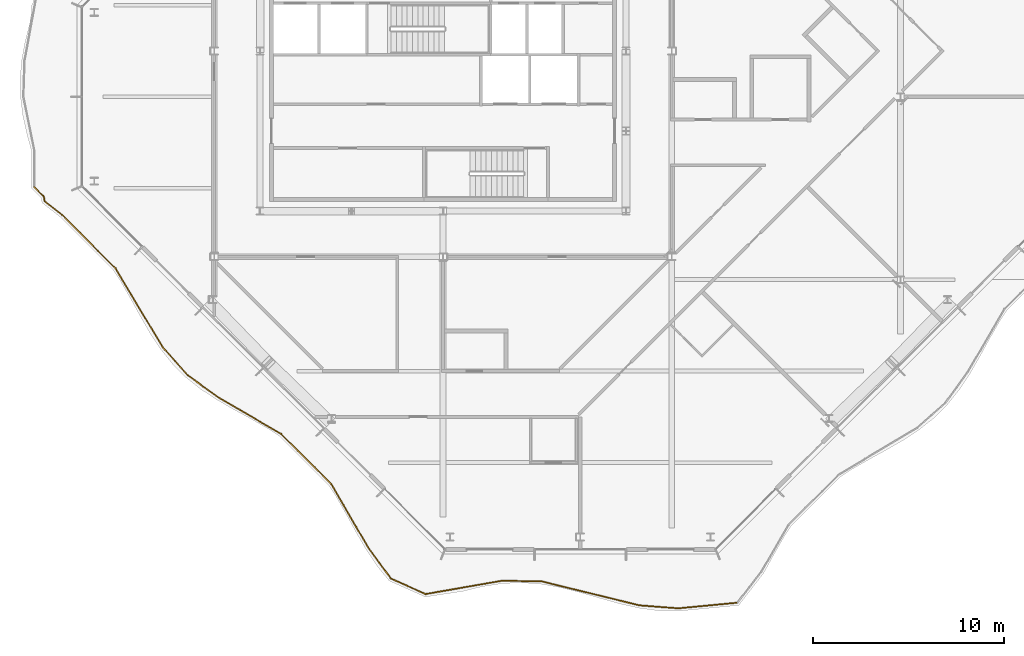
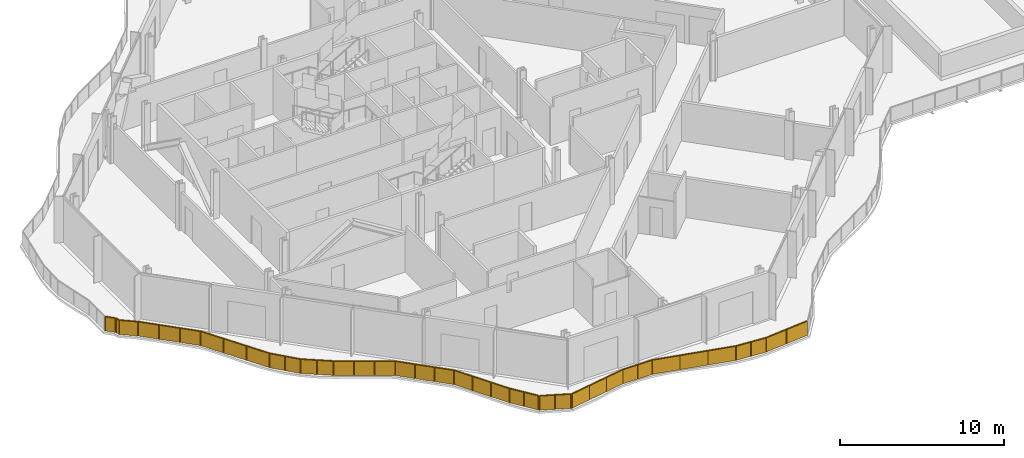
# One storey, part 12 of 16: 5 railings.
"""IFC4 building model written with IfcOpenShell, lengths in metres."""

from ifc_helpers import new_model, si_unit, direction, frame, origin, origin_2d, place, context, subcontext, project, spatial, polyline, rectangle, outline, extrude, material, type_object, element, save


model = new_model("IFC4")

# Units and contexts
model_context = context("Model", 3, precision=1e-05, world=origin(), true_north=direction((0.0, 1.0)))
body_context = subcontext(model_context, "Body", "Model", "MODEL_VIEW")
ifc_project = project(units=[si_unit("LENGTHUNIT", "METRE"), si_unit("AREAUNIT", "SQUARE_METRE"), si_unit("VOLUMEUNIT", "CUBIC_METRE"), si_unit("PLANEANGLEUNIT", "RADIAN"), si_unit("MASSUNIT", "GRAM", prefix="KILO")], contexts=[model_context])

# Site, building, storey
site_placement = place(None, origin())
site = spatial("IfcSite", under=ifc_project, at=site_placement, CompositionType="ELEMENT")
building_placement = place(site_placement, origin())
building = spatial("IfcBuilding", under=site, at=building_placement, Name="Cairn Pilgrim Tower", CompositionType="ELEMENT")
storey_placement = place(building_placement, frame((0.0, 0.0, 267.0)))
storey = spatial("IfcBuildingStorey", under=building, at=storey_placement, Name="L68", CompositionType="ELEMENT", Elevation=267.0)

# Railings
ifc_material = material(Name="Bronze anodised aluminium rail and posts with laminated glass infill", Category="aluminium")
railing_type = type_object("IfcRailingType", Name="BALCONY GUARD 1100", PredefinedType="GUARDRAIL", material=ifc_material)
railing_1_placement = place(storey_placement, frame((-14.25, -4.73779296875, 0.0)))
element("IfcRailing", 1, at=railing_1_placement, inside=storey, type_object=railing_type, Name="Balcony guard BG-7", PredefinedType="GUARDRAIL", context=body_context, shape_type="SweptSolid", body=[
    extrude(rectangle(XDim=0.050048828125, YDim=0.050048828125, at=origin_2d()), frame((0.0, 0.0, 1.0751953125), z_axis=(0.707106781187, -0.707106781187, 0.0), x_axis=(0.707106781187, 0.707106781187, 0.0)), (0.0, 0.0, 1.0), 0.662109375),
    extrude(rectangle(XDim=0.050048828125, YDim=0.050048828125, at=origin_2d()), origin(), (0.0, 0.0, 1.0), 1.050048828125),
    extrude(rectangle(XDim=0.050048828125, YDim=0.050048828125, at=origin_2d()), frame((0.46826171875, -0.46826171875, 0.0)), (0.0, 0.0, 1.0), 1.050048828125),
    extrude(outline(polyline([(0.02490234375, 0.0), (0.63720703125, 0.0), (0.63720703125, 1.050048828125), (0.02490234375, 1.050048828125), (0.02490234375, 0.0)])), frame((0.004150390625, 0.004150390625, 0.0), z_axis=(-0.707106781187, -0.707106781187, 0.0), x_axis=(0.707106781187, -0.707106781187, 0.0)), (0.0, 0.0, 1.0), 0.011962890625),
])
railing_2_placement = place(storey_placement, frame((-13.739501953125, -5.24853515625, 0.0)))
element("IfcRailing", 2, at=railing_2_placement, inside=storey, type_object=railing_type, Name="Balcony guard BG-8", PredefinedType="GUARDRAIL", context=body_context, shape_type="SweptSolid", body=[
    extrude(rectangle(XDim=0.050048828125, YDim=0.050048828125, at=origin_2d()), frame((0.0, 0.0, 1.0751953125), z_axis=(0.14965251028, -0.988738654128, 0.0), x_axis=(0.988738654128, 0.14965251028, 0.0)), (0.0, 0.0, 1.0), 0.236572265625),
    extrude(rectangle(XDim=0.050048828125, YDim=0.050048828125, at=origin_2d()), origin(), (0.0, 0.0, 1.0), 1.050048828125),
    extrude(rectangle(XDim=0.050048828125, YDim=0.050048828125, at=origin_2d()), frame((0.035400390625, -0.23388671875, 0.0)), (0.0, 0.0, 1.0), 1.050048828125),
    extrude(outline(polyline([(0.02490234375, 0.0), (0.21142578125, 0.0), (0.21142578125, 1.050048828125), (0.02490234375, 1.050048828125), (0.02490234375, 0.0)])), frame((0.005859375, 0.0009765625, 0.0), z_axis=(-0.988738654128, -0.14965251028, 0.0), x_axis=(0.14965251028, -0.988738654128, 0.0)), (0.0, 0.0, 1.0), 0.011962890625),
])
railing_3_placement = place(storey_placement, frame((-13.7041015625, -5.482421875, 0.0)))
element("IfcRailing", 3, at=railing_3_placement, inside=storey, type_object=railing_type, Name="Balcony guard BG-9", PredefinedType="GUARDRAIL", context=body_context, shape_type="SweptSolid", body=[
    extrude(rectangle(XDim=0.050048828125, YDim=0.050048828125, at=origin_2d()), frame((0.0, 0.0, 1.0751953125), z_axis=(0.78596791272, -0.618267288617, 0.0), x_axis=(0.618267288617, 0.78596791272, 0.0)), (0.0, 0.0, 1.0), 1.18505859375),
    extrude(rectangle(XDim=0.050048828125, YDim=0.050048828125, at=origin_2d()), frame((0.931396484375, -0.732666015625, 1.0751953125), z_axis=(0.707106781187, -0.707106781187, 0.0), x_axis=(0.707106781187, 0.707106781187, 0.0)), (0.0, 0.0, 1.0), 3.9453125),
    extrude(rectangle(XDim=0.050048828125, YDim=0.050048828125, at=origin_2d()), frame((3.72119140625, -3.5224609375, 1.0751953125), z_axis=(0.512640010465, -0.85860364527, 0.0), x_axis=(0.85860364527, 0.512640010465, 0.0)), (0.0, 0.0, 1.0), 4.820556640625),
    extrude(rectangle(XDim=0.050048828125, YDim=0.050048828125, at=origin_2d()), frame((6.1923828125, -7.661376953125, 1.0751953125), z_axis=(0.667726172462, -0.744406984525, 0.0), x_axis=(0.744406984525, 0.667726172462, 0.0)), (0.0, 0.0, 1.0), 1.983642578125),
    extrude(rectangle(XDim=0.050048828125, YDim=0.050048828125, at=origin_2d()), frame((7.516845703125, -9.137939453125, 1.0751953125), z_axis=(0.811046646269, -0.584981484815, 0.0), x_axis=(0.584981484815, 0.811046646269, 0.0)), (0.0, 0.0, 1.0), 2.01416015625),
    extrude(rectangle(XDim=0.050048828125, YDim=0.050048828125, at=origin_2d()), frame((9.150390625, -10.316162109375, 1.0751953125), z_axis=(0.864590993196, -0.502476282509, 0.0), x_axis=(0.502476282509, 0.864590993196, 0.0)), (0.0, 0.0, 1.0), 3.767578125),
    extrude(rectangle(XDim=0.050048828125, YDim=0.050048828125, at=origin_2d()), frame((12.40771484375, -12.209228515625, 1.0751953125), z_axis=(0.707139560863, -0.707073999991, 0.0), x_axis=(0.707073999991, 0.707139560863, 0.0)), (0.0, 0.0, 1.0), 3.723876953125),
    extrude(rectangle(XDim=0.050048828125, YDim=0.050048828125, at=origin_2d()), frame((15.041015625, -14.84228515625, 1.0751953125), z_axis=(0.502449084838, -0.864606799156, 0.0), x_axis=(0.864606799156, 0.502449084838, 0.0)), (0.0, 0.0, 1.0), 3.8876953125),
    extrude(rectangle(XDim=0.050048828125, YDim=0.050048828125, at=origin_2d()), frame((16.994384765625, -18.20361328125, 1.0751953125), z_axis=(0.594469465093, -0.804118184766, 0.0), x_axis=(0.804118184766, 0.594469465093, 0.0)), (0.0, 0.0, 1.0), 1.926025390625),
    extrude(rectangle(XDim=0.050048828125, YDim=0.050048828125, at=origin_2d()), origin(), (0.0, 0.0, 1.0), 1.050048828125),
    extrude(rectangle(XDim=0.050048828125, YDim=0.050048828125, at=origin_2d()), frame((0.931396484375, -0.732666015625, 0.0)), (0.0, 0.0, 1.0), 1.050048828125),
    extrude(rectangle(XDim=0.050048828125, YDim=0.050048828125, at=origin_2d()), frame((1.861328125, -1.66259765625, 0.0)), (0.0, 0.0, 1.0), 1.050048828125),
    extrude(rectangle(XDim=0.050048828125, YDim=0.050048828125, at=origin_2d()), frame((2.791259765625, -2.592529296875, 0.0)), (0.0, 0.0, 1.0), 1.050048828125),
    extrude(rectangle(XDim=0.050048828125, YDim=0.050048828125, at=origin_2d()), frame((3.72119140625, -3.5224609375, 0.0)), (0.0, 0.0, 1.0), 1.050048828125),
    extrude(rectangle(XDim=0.050048828125, YDim=0.050048828125, at=origin_2d()), frame((4.544921875, -4.902099609375, 0.0)), (0.0, 0.0, 1.0), 1.050048828125),
    extrude(rectangle(XDim=0.050048828125, YDim=0.050048828125, at=origin_2d()), frame((5.36865234375, -6.28173828125, 0.0)), (0.0, 0.0, 1.0), 1.050048828125),
    extrude(rectangle(XDim=0.050048828125, YDim=0.050048828125, at=origin_2d()), frame((6.1923828125, -7.661376953125, 0.0)), (0.0, 0.0, 1.0), 1.050048828125),
    extrude(rectangle(XDim=0.050048828125, YDim=0.050048828125, at=origin_2d()), frame((6.8544921875, -8.399658203125, 0.0)), (0.0, 0.0, 1.0), 1.050048828125),
    extrude(rectangle(XDim=0.050048828125, YDim=0.050048828125, at=origin_2d()), frame((7.516845703125, -9.137939453125, 0.0)), (0.0, 0.0, 1.0), 1.050048828125),
    extrude(rectangle(XDim=0.050048828125, YDim=0.050048828125, at=origin_2d()), frame((8.33349609375, -9.72705078125, 0.0)), (0.0, 0.0, 1.0), 1.050048828125),
    extrude(rectangle(XDim=0.050048828125, YDim=0.050048828125, at=origin_2d()), frame((9.150390625, -10.316162109375, 0.0)), (0.0, 0.0, 1.0), 1.050048828125),
    extrude(rectangle(XDim=0.050048828125, YDim=0.050048828125, at=origin_2d()), frame((10.236083984375, -10.947265625, 0.0)), (0.0, 0.0, 1.0), 1.050048828125),
    extrude(rectangle(XDim=0.050048828125, YDim=0.050048828125, at=origin_2d()), frame((11.322021484375, -11.578125, 0.0)), (0.0, 0.0, 1.0), 1.050048828125),
    extrude(rectangle(XDim=0.050048828125, YDim=0.050048828125, at=origin_2d()), frame((12.40771484375, -12.209228515625, 0.0)), (0.0, 0.0, 1.0), 1.050048828125),
    extrude(rectangle(XDim=0.050048828125, YDim=0.050048828125, at=origin_2d()), frame((13.285400390625, -13.0869140625, 0.0)), (0.0, 0.0, 1.0), 1.050048828125),
    extrude(rectangle(XDim=0.050048828125, YDim=0.050048828125, at=origin_2d()), frame((14.163330078125, -13.964599609375, 0.0)), (0.0, 0.0, 1.0), 1.050048828125),
    extrude(rectangle(XDim=0.050048828125, YDim=0.050048828125, at=origin_2d()), frame((15.041015625, -14.84228515625, 0.0)), (0.0, 0.0, 1.0), 1.050048828125),
    extrude(rectangle(XDim=0.050048828125, YDim=0.050048828125, at=origin_2d()), frame((15.692138671875, -15.962646484375, 0.0)), (0.0, 0.0, 1.0), 1.050048828125),
    extrude(rectangle(XDim=0.050048828125, YDim=0.050048828125, at=origin_2d()), frame((16.34326171875, -17.083251953125, 0.0)), (0.0, 0.0, 1.0), 1.050048828125),
    extrude(rectangle(XDim=0.050048828125, YDim=0.050048828125, at=origin_2d()), frame((16.994384765625, -18.20361328125, 0.0)), (0.0, 0.0, 1.0), 1.050048828125),
    extrude(rectangle(XDim=0.050048828125, YDim=0.050048828125, at=origin_2d()), frame((17.56689453125, -18.97802734375, 0.0)), (0.0, 0.0, 1.0), 1.050048828125),
    extrude(rectangle(XDim=0.050048828125, YDim=0.050048828125, at=origin_2d()), frame((18.139404296875, -19.75244140625, 0.0)), (0.0, 0.0, 1.0), 1.050048828125),
    extrude(outline(polyline([(0.02490234375, 0.0), (1.159912109375, 0.0), (1.159912109375, 1.050048828125), (0.02490234375, 1.050048828125), (0.02490234375, 0.0)])), frame((0.003662109375, 0.004638671875, 0.0), z_axis=(-0.618267288617, -0.78596791272, 0.0), x_axis=(0.78596791272, -0.618267288617, 0.0)), (0.0, 0.0, 1.0), 0.011962890625),
    extrude(outline(polyline([(0.02490234375, 0.0), (1.2900390625, 0.0), (1.2900390625, 1.050048828125), (0.02490234375, 1.050048828125), (0.02490234375, 0.0)])), frame((0.935546875, -0.728515625, 0.0), z_axis=(-0.707106781187, -0.707106781187, 0.0), x_axis=(0.707106781187, -0.707106781187, 0.0)), (0.0, 0.0, 1.0), 0.011962890625),
    extrude(outline(polyline([(0.02490234375, 0.0), (1.2900390625, 0.0), (1.2900390625, 1.050048828125), (0.02490234375, 1.050048828125), (0.02490234375, 0.0)])), frame((1.865478515625, -1.658447265625, 0.0), z_axis=(-0.707106781187, -0.707106781187, 0.0), x_axis=(0.707106781187, -0.707106781187, 0.0)), (0.0, 0.0, 1.0), 0.011962890625),
    extrude(outline(polyline([(0.02490234375, 0.0), (1.2900390625, 0.0), (1.2900390625, 1.050048828125), (0.02490234375, 1.050048828125), (0.02490234375, 0.0)])), frame((2.79541015625, -2.58837890625, 0.0), z_axis=(-0.707106781187, -0.707106781187, 0.0), x_axis=(0.707106781187, -0.707106781187, 0.0)), (0.0, 0.0, 1.0), 0.011962890625),
    extrude(outline(polyline([(0.02490234375, 0.0), (1.581787109375, 0.0), (1.581787109375, 1.050048828125), (0.02490234375, 1.050048828125), (0.02490234375, 0.0)])), frame((3.726318359375, -3.519287109375, 0.0), z_axis=(-0.85860364527, -0.512640010465, 0.0), x_axis=(0.512640010465, -0.85860364527, 0.0)), (0.0, 0.0, 1.0), 0.011962890625),
    extrude(outline(polyline([(0.02490234375, 0.0), (1.581787109375, 0.0), (1.581787109375, 1.050048828125), (0.02490234375, 1.050048828125), (0.02490234375, 0.0)])), frame((4.550048828125, -4.89892578125, 0.0), z_axis=(-0.85860364527, -0.512640010465, 0.0), x_axis=(0.512640010465, -0.85860364527, 0.0)), (0.0, 0.0, 1.0), 0.011962890625),
    extrude(outline(polyline([(0.02490234375, 0.0), (1.581787109375, 0.0), (1.581787109375, 1.050048828125), (0.02490234375, 1.050048828125), (0.02490234375, 0.0)])), frame((5.373779296875, -6.278564453125, 0.0), z_axis=(-0.85860364527, -0.512640010465, 0.0), x_axis=(0.512640010465, -0.85860364527, 0.0)), (0.0, 0.0, 1.0), 0.011962890625),
    extrude(outline(polyline([(0.02490234375, 0.0), (0.966796875, 0.0), (0.966796875, 1.050048828125), (0.02490234375, 1.050048828125), (0.02490234375, 0.0)])), frame((6.19677734375, -7.657470703125, 0.0), z_axis=(-0.744406984525, -0.667726172462, 0.0), x_axis=(0.667726172462, -0.744406984525, 0.0)), (0.0, 0.0, 1.0), 0.011962890625),
    extrude(outline(polyline([(0.02490234375, 0.0), (0.966796875, 0.0), (0.966796875, 1.050048828125), (0.02490234375, 1.050048828125), (0.02490234375, 0.0)])), frame((6.859130859375, -8.395751953125, 0.0), z_axis=(-0.744406984525, -0.667726172462, 0.0), x_axis=(0.667726172462, -0.744406984525, 0.0)), (0.0, 0.0, 1.0), 0.011962890625),
    extrude(outline(polyline([(0.02490234375, 0.0), (0.98193359375, 0.0), (0.98193359375, 1.050048828125), (0.02490234375, 1.050048828125), (0.02490234375, 0.0)])), frame((7.520263671875, -9.133056640625, 0.0), z_axis=(-0.584981484815, -0.811046646269, 0.0), x_axis=(0.811046646269, -0.584981484815, 0.0)), (0.0, 0.0, 1.0), 0.011962890625),
    extrude(outline(polyline([(0.02490234375, 0.0), (0.98193359375, 0.0), (0.98193359375, 1.050048828125), (0.02490234375, 1.050048828125), (0.02490234375, 0.0)])), frame((8.337158203125, -9.72216796875, 0.0), z_axis=(-0.584981484815, -0.811046646269, 0.0), x_axis=(0.811046646269, -0.584981484815, 0.0)), (0.0, 0.0, 1.0), 0.011962890625),
    extrude(outline(polyline([(0.02490234375, 0.0), (1.230712890625, 0.0), (1.230712890625, 1.050048828125), (0.02490234375, 1.050048828125), (0.02490234375, 0.0)])), frame((9.1533203125, -10.31103515625, 0.0), z_axis=(-0.502476282509, -0.864590993196, 0.0), x_axis=(0.864590993196, -0.502476282509, 0.0)), (0.0, 0.0, 1.0), 0.011962890625),
    extrude(outline(polyline([(0.02490234375, 0.0), (1.230712890625, 0.0), (1.230712890625, 1.050048828125), (0.02490234375, 1.050048828125), (0.02490234375, 0.0)])), frame((10.2392578125, -10.94189453125, 0.0), z_axis=(-0.502476282509, -0.864590993196, 0.0), x_axis=(0.864590993196, -0.502476282509, 0.0)), (0.0, 0.0, 1.0), 0.011962890625),
    extrude(outline(polyline([(0.02490234375, 0.0), (1.230712890625, 0.0), (1.230712890625, 1.050048828125), (0.02490234375, 1.050048828125), (0.02490234375, 0.0)])), frame((11.324951171875, -11.572998046875, 0.0), z_axis=(-0.502476282509, -0.864590993196, 0.0), x_axis=(0.864590993196, -0.502476282509, 0.0)), (0.0, 0.0, 1.0), 0.011962890625),
    extrude(outline(polyline([(0.02490234375, 0.0), (1.21630859375, 0.0), (1.21630859375, 1.050048828125), (0.02490234375, 1.050048828125), (0.02490234375, 0.0)])), frame((12.411865234375, -12.205078125, 0.0), z_axis=(-0.707073999991, -0.707139560863, 0.0), x_axis=(0.707139560863, -0.707073999991, 0.0)), (0.0, 0.0, 1.0), 0.011962890625),
    extrude(outline(polyline([(0.02490234375, 0.0), (1.21630859375, 0.0), (1.21630859375, 1.050048828125), (0.02490234375, 1.050048828125), (0.02490234375, 0.0)])), frame((13.289794921875, -13.082763671875, 0.0), z_axis=(-0.707073999991, -0.707139560863, 0.0), x_axis=(0.707139560863, -0.707073999991, 0.0)), (0.0, 0.0, 1.0), 0.011962890625),
    extrude(outline(polyline([(0.02490234375, 0.0), (1.21630859375, 0.0), (1.21630859375, 1.050048828125), (0.02490234375, 1.050048828125), (0.02490234375, 0.0)])), frame((14.16748046875, -13.96044921875, 0.0), z_axis=(-0.707073999991, -0.707139560863, 0.0), x_axis=(0.707139560863, -0.707073999991, 0.0)), (0.0, 0.0, 1.0), 0.011962890625),
    extrude(outline(polyline([(0.02490234375, 0.0), (1.27099609375, 0.0), (1.27099609375, 1.050048828125), (0.02490234375, 1.050048828125), (0.02490234375, 0.0)])), frame((15.046142578125, -14.83935546875, 0.0), z_axis=(-0.864606799156, -0.502449084838, 0.0), x_axis=(0.502449084838, -0.864606799156, 0.0)), (0.0, 0.0, 1.0), 0.011962890625),
    extrude(outline(polyline([(0.02490234375, 0.0), (1.27099609375, 0.0), (1.27099609375, 1.050048828125), (0.02490234375, 1.050048828125), (0.02490234375, 0.0)])), frame((15.697265625, -15.959716796875, 0.0), z_axis=(-0.864606799156, -0.502449084838, 0.0), x_axis=(0.502449084838, -0.864606799156, 0.0)), (0.0, 0.0, 1.0), 0.011962890625),
    extrude(outline(polyline([(0.02490234375, 0.0), (1.27099609375, 0.0), (1.27099609375, 1.050048828125), (0.02490234375, 1.050048828125), (0.02490234375, 0.0)])), frame((16.348388671875, -17.080078125, 0.0), z_axis=(-0.864606799156, -0.502449084838, 0.0), x_axis=(0.502449084838, -0.864606799156, 0.0)), (0.0, 0.0, 1.0), 0.011962890625),
    extrude(outline(polyline([(0.02490234375, 0.0), (0.93798828125, 0.0), (0.93798828125, 1.050048828125), (0.02490234375, 1.050048828125), (0.02490234375, 0.0)])), frame((16.999267578125, -18.199951171875, 0.0), z_axis=(-0.804118184766, -0.594469465093, 0.0), x_axis=(0.594469465093, -0.804118184766, 0.0)), (0.0, 0.0, 1.0), 0.011962890625),
    extrude(outline(polyline([(0.02490234375, 0.0), (0.93798828125, 0.0), (0.93798828125, 1.050048828125), (0.02490234375, 1.050048828125), (0.02490234375, 0.0)])), frame((17.57177734375, -18.974365234375, 0.0), z_axis=(-0.804118184766, -0.594469465093, 0.0), x_axis=(0.594469465093, -0.804118184766, 0.0)), (0.0, 0.0, 1.0), 0.011962890625),
])
railing_4_placement = place(storey_placement, frame((4.47119140625, -25.282958984375, 0.0)))
element("IfcRailing", 4, at=railing_4_placement, inside=storey, type_object=railing_type, Name="Balcony guard BG-10", PredefinedType="GUARDRAIL", context=body_context, shape_type="SweptSolid", body=[
    extrude(rectangle(XDim=0.050048828125, YDim=0.050048828125, at=origin_2d()), frame((0.0, 0.0, 1.0751953125), z_axis=(0.913042803718, -0.407863750018, 0.0), x_axis=(0.407863750018, 0.913042803718, 0.0)), (0.0, 0.0, 1.0), 1.92919921875),
    extrude(rectangle(XDim=0.050048828125, YDim=0.050048828125, at=origin_2d()), origin(), (0.0, 0.0, 1.0), 1.050048828125),
    extrude(rectangle(XDim=0.050048828125, YDim=0.050048828125, at=origin_2d()), frame((0.880859375, -0.3935546875, 0.0)), (0.0, 0.0, 1.0), 1.050048828125),
    extrude(rectangle(XDim=0.050048828125, YDim=0.050048828125, at=origin_2d()), frame((1.761474609375, -0.786865234375, 0.0)), (0.0, 0.0, 1.0), 1.050048828125),
    extrude(outline(polyline([(0.02490234375, 0.0), (0.939697265625, 0.0), (0.939697265625, 1.050048828125), (0.02490234375, 1.050048828125), (0.02490234375, 0.0)])), frame((0.00244140625, 0.00537109375, 0.0), z_axis=(-0.407863750018, -0.913042803718, 0.0), x_axis=(0.913042803718, -0.407863750018, 0.0)), (0.0, 0.0, 1.0), 0.011962890625),
    extrude(outline(polyline([(0.02490234375, 0.0), (0.939697265625, 0.0), (0.939697265625, 1.050048828125), (0.02490234375, 1.050048828125), (0.02490234375, 0.0)])), frame((0.883056640625, -0.387939453125, 0.0), z_axis=(-0.407863750018, -0.913042803718, 0.0), x_axis=(0.913042803718, -0.407863750018, 0.0)), (0.0, 0.0, 1.0), 0.011962890625),
])
railing_5_placement = place(storey_placement, frame((6.287353515625, -26.09423828125, 0.0)))
element("IfcRailing", 5, at=railing_5_placement, inside=storey, type_object=railing_type, Name="Balcony guard BG-11", PredefinedType="GUARDRAIL", context=body_context, shape_type="SweptSolid", body=[
    extrude(rectangle(XDim=0.050048828125, YDim=0.050048828125, at=origin_2d()), frame((0.0, 0.0, 1.0751953125), z_axis=(0.985075507531, 0.17212275986, 0.0), x_axis=(-0.17212275986, 0.985075507531, 0.0)), (0.0, 0.0, 1.0), 4.046630859375),
    extrude(rectangle(XDim=0.050048828125, YDim=0.050048828125, at=origin_2d()), frame((3.986328125, 0.696533203125, 1.0751953125), z_axis=(0.999917327128, -0.012858417814, 0.0), x_axis=(0.012858417814, 0.999917327128, 0.0)), (0.0, 0.0, 1.0), 2.088623046875),
    extrude(rectangle(XDim=0.050048828125, YDim=0.050048828125, at=origin_2d()), frame((6.07470703125, 0.669677734375, 1.0751953125), z_axis=(0.971184697935, -0.238328098421, 0.0), x_axis=(0.238328098421, 0.971184697935, 0.0)), (0.0, 0.0, 1.0), 5.30029296875),
    extrude(rectangle(XDim=0.050048828125, YDim=0.050048828125, at=origin_2d()), frame((11.22216796875, -0.593505859375, 1.0751953125), z_axis=(0.997102211213, -0.076073519659, 0.0), x_axis=(0.076073519659, 0.997102211213, 0.0)), (0.0, 0.0, 1.0), 2.037841796875),
    extrude(rectangle(XDim=0.050048828125, YDim=0.050048828125, at=origin_2d()), frame((13.254150390625, -0.74853515625, 1.0751953125), z_axis=(0.995486469525, 0.094903577344, 0.0), x_axis=(-0.094903577344, 0.995486469525, 0.0)), (0.0, 0.0, 1.0), 3.04833984375),
    extrude(rectangle(XDim=0.050048828125, YDim=0.050048828125, at=origin_2d()), origin(), (0.0, 0.0, 1.0), 1.050048828125),
    extrude(rectangle(XDim=0.050048828125, YDim=0.050048828125, at=origin_2d()), frame((1.328857421875, 0.232177734375, 0.0)), (0.0, 0.0, 1.0), 1.050048828125),
    extrude(rectangle(XDim=0.050048828125, YDim=0.050048828125, at=origin_2d()), frame((2.657470703125, 0.46435546875, 0.0)), (0.0, 0.0, 1.0), 1.050048828125),
    extrude(rectangle(XDim=0.050048828125, YDim=0.050048828125, at=origin_2d()), frame((3.986328125, 0.696533203125, 0.0)), (0.0, 0.0, 1.0), 1.050048828125),
    extrude(rectangle(XDim=0.050048828125, YDim=0.050048828125, at=origin_2d()), frame((5.030517578125, 0.68310546875, 0.0)), (0.0, 0.0, 1.0), 1.050048828125),
    extrude(rectangle(XDim=0.050048828125, YDim=0.050048828125, at=origin_2d()), frame((6.07470703125, 0.669677734375, 0.0)), (0.0, 0.0, 1.0), 1.050048828125),
    extrude(rectangle(XDim=0.050048828125, YDim=0.050048828125, at=origin_2d()), frame((7.79052734375, 0.24853515625, 0.0)), (0.0, 0.0, 1.0), 1.050048828125),
    extrude(rectangle(XDim=0.050048828125, YDim=0.050048828125, at=origin_2d()), frame((9.50634765625, -0.17236328125, 0.0)), (0.0, 0.0, 1.0), 1.050048828125),
    extrude(rectangle(XDim=0.050048828125, YDim=0.050048828125, at=origin_2d()), frame((11.22216796875, -0.593505859375, 0.0)), (0.0, 0.0, 1.0), 1.050048828125),
    extrude(rectangle(XDim=0.050048828125, YDim=0.050048828125, at=origin_2d()), frame((12.23828125, -0.6708984375, 0.0)), (0.0, 0.0, 1.0), 1.050048828125),
    extrude(rectangle(XDim=0.050048828125, YDim=0.050048828125, at=origin_2d()), frame((13.254150390625, -0.74853515625, 0.0)), (0.0, 0.0, 1.0), 1.050048828125),
    extrude(rectangle(XDim=0.050048828125, YDim=0.050048828125, at=origin_2d()), frame((14.771484375, -0.60400390625, 0.0)), (0.0, 0.0, 1.0), 1.050048828125),
    extrude(rectangle(XDim=0.050048828125, YDim=0.050048828125, at=origin_2d()), frame((16.288818359375, -0.459228515625, 0.0)), (0.0, 0.0, 1.0), 1.050048828125),
    extrude(outline(polyline([(0.02490234375, 0.0), (1.323974609375, 0.0), (1.323974609375, 1.050048828125), (0.02490234375, 1.050048828125), (0.02490234375, 0.0)])), frame((-0.0009765625, 0.005859375, 0.0), z_axis=(0.17212275986, -0.985075507531, 0.0), x_axis=(0.985075507531, 0.17212275986, 0.0)), (0.0, 0.0, 1.0), 0.011962890625),
    extrude(outline(polyline([(0.02490234375, 0.0), (1.323974609375, 0.0), (1.323974609375, 1.050048828125), (0.02490234375, 1.050048828125), (0.02490234375, 0.0)])), frame((1.32763671875, 0.238037109375, 0.0), z_axis=(0.17212275986, -0.985075507531, 0.0), x_axis=(0.985075507531, 0.17212275986, 0.0)), (0.0, 0.0, 1.0), 0.011962890625),
    extrude(outline(polyline([(0.02490234375, 0.0), (1.323974609375, 0.0), (1.323974609375, 1.050048828125), (0.02490234375, 1.050048828125), (0.02490234375, 0.0)])), frame((2.656494140625, 0.47021484375, 0.0), z_axis=(0.17212275986, -0.985075507531, 0.0), x_axis=(0.985075507531, 0.17212275986, 0.0)), (0.0, 0.0, 1.0), 0.011962890625),
    extrude(outline(polyline([(0.02490234375, 0.0), (1.019287109375, 0.0), (1.019287109375, 1.050048828125), (0.02490234375, 1.050048828125), (0.02490234375, 0.0)])), frame((3.986328125, 0.702392578125, 0.0), z_axis=(-0.012858417814, -0.999917327128, 0.0), x_axis=(0.999917327128, -0.012858417814, 0.0)), (0.0, 0.0, 1.0), 0.011962890625),
    extrude(outline(polyline([(0.02490234375, 0.0), (1.019287109375, 0.0), (1.019287109375, 1.050048828125), (0.02490234375, 1.050048828125), (0.02490234375, 0.0)])), frame((5.030517578125, 0.68896484375, 0.0), z_axis=(-0.012858417814, -0.999917327128, 0.0), x_axis=(0.999917327128, -0.012858417814, 0.0)), (0.0, 0.0, 1.0), 0.011962890625),
    extrude(outline(polyline([(0.02490234375, 0.0), (1.74169921875, 0.0), (1.74169921875, 1.050048828125), (0.02490234375, 1.050048828125), (0.02490234375, 0.0)])), frame((6.076171875, 0.675537109375, 0.0), z_axis=(-0.238328098421, -0.971184697935, 0.0), x_axis=(0.971184697935, -0.238328098421, 0.0)), (0.0, 0.0, 1.0), 0.011962890625),
    extrude(outline(polyline([(0.02490234375, 0.0), (1.74169921875, 0.0), (1.74169921875, 1.050048828125), (0.02490234375, 1.050048828125), (0.02490234375, 0.0)])), frame((7.7919921875, 0.25439453125, 0.0), z_axis=(-0.238328098421, -0.971184697935, 0.0), x_axis=(0.971184697935, -0.238328098421, 0.0)), (0.0, 0.0, 1.0), 0.011962890625),
    extrude(outline(polyline([(0.02490234375, 0.0), (1.74169921875, 0.0), (1.74169921875, 1.050048828125), (0.02490234375, 1.050048828125), (0.02490234375, 0.0)])), frame((9.5078125, -0.166748046875, 0.0), z_axis=(-0.238328098421, -0.971184697935, 0.0), x_axis=(0.971184697935, -0.238328098421, 0.0)), (0.0, 0.0, 1.0), 0.011962890625),
    extrude(outline(polyline([(0.02490234375, 0.0), (0.993896484375, 0.0), (0.993896484375, 1.050048828125), (0.02490234375, 1.050048828125), (0.02490234375, 0.0)])), frame((11.22265625, -0.587646484375, 0.0), z_axis=(-0.076073519659, -0.997102211213, 0.0), x_axis=(0.997102211213, -0.076073519659, 0.0)), (0.0, 0.0, 1.0), 0.011962890625),
    extrude(outline(polyline([(0.02490234375, 0.0), (0.993896484375, 0.0), (0.993896484375, 1.050048828125), (0.02490234375, 1.050048828125), (0.02490234375, 0.0)])), frame((12.238525390625, -0.6650390625, 0.0), z_axis=(-0.076073519659, -0.997102211213, 0.0), x_axis=(0.997102211213, -0.076073519659, 0.0)), (0.0, 0.0, 1.0), 0.011962890625),
    extrude(outline(polyline([(0.02490234375, 0.0), (1.499267578125, 0.0), (1.499267578125, 1.050048828125), (0.02490234375, 1.050048828125), (0.02490234375, 0.0)])), frame((13.253662109375, -0.74267578125, 0.0), z_axis=(0.094903577344, -0.995486469525, 0.0), x_axis=(0.995486469525, 0.094903577344, 0.0)), (0.0, 0.0, 1.0), 0.011962890625),
    extrude(outline(polyline([(0.02490234375, 0.0), (1.499267578125, 0.0), (1.499267578125, 1.050048828125), (0.02490234375, 1.050048828125), (0.02490234375, 0.0)])), frame((14.77099609375, -0.597900390625, 0.0), z_axis=(0.094903577344, -0.995486469525, 0.0), x_axis=(0.995486469525, 0.094903577344, 0.0)), (0.0, 0.0, 1.0), 0.011962890625),
])

save(model, "model.ifc")
